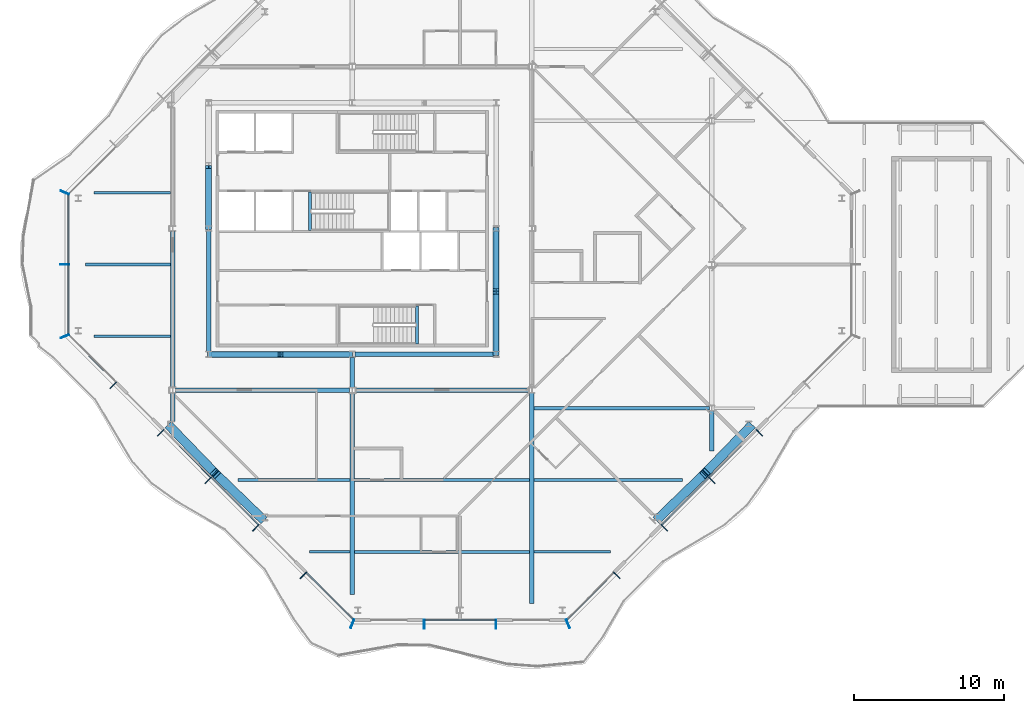
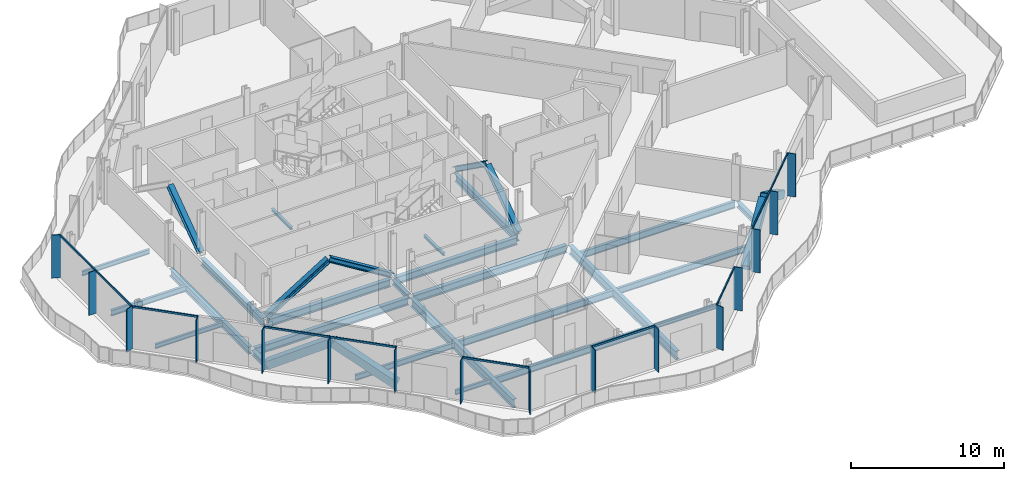
# One storey, part 3 of 16: 35 members, 24 beams, 4 elements without a shape of their own.
"""IFC4 building model written with IfcOpenShell, lengths in metres."""

from ifc_helpers import new_model, si_unit, direction, frame, origin, origin_2d, place, context, subcontext, project, spatial, rectangle, hollow_rectangle, i_section, extrude, material, material_profile, profile_set, type_object, element, aggregate, save


model = new_model("IFC4")

# Units and contexts
model_context = context("Model", 3, precision=1e-05, world=origin(), true_north=direction((0.0, 1.0)))
body_context = subcontext(model_context, "Body", "Model", "MODEL_VIEW")
ifc_project = project(units=[si_unit("LENGTHUNIT", "METRE"), si_unit("AREAUNIT", "SQUARE_METRE"), si_unit("VOLUMEUNIT", "CUBIC_METRE"), si_unit("PLANEANGLEUNIT", "RADIAN"), si_unit("MASSUNIT", "GRAM", prefix="KILO")], contexts=[model_context])

# Site, building, storey
site_placement = place(None, origin())
site = spatial("IfcSite", under=ifc_project, at=site_placement, CompositionType="ELEMENT")
building_placement = place(site_placement, origin())
building = spatial("IfcBuilding", under=site, at=building_placement, Name="Cairn Pilgrim Tower", CompositionType="ELEMENT")
storey_placement = place(building_placement, frame((0.0, 0.0, 267.0)))
storey = spatial("IfcBuildingStorey", under=building, at=storey_placement, Name="L68", CompositionType="ELEMENT", Elevation=267.0)

# Members
ifc_material_1 = material(Name="Structural steel S460M", Category="steel")
ifc_material_profile_1 = material_profile(ifc_material_1, hollow_rectangle(XDim=0.60009765625, YDim=0.60009765625, WallThickness=0.034912109375, at=origin_2d()), Name="BOX 600x600x35")
ifc_profile_set_1 = profile_set([ifc_material_profile_1], Name="Structural steel S460M")
member_type_1 = type_object("IfcMemberType", Name="BOX 600x600x35 BRACE", PredefinedType="BRACE", material=ifc_profile_set_1)
member_1_placement = place(storey_placement, frame((27.609130859375, -16.9921875, 0.14990234375), z_axis=(0.612497315066, 0.592528264357, 0.523218209713), x_axis=(-0.695293517132, 0.718725903967, 0.0)))
element("IfcMember", 1, at=member_1_placement, inside=storey, type_object=member_type_1, Name="XB-SE2-SE3-1", PredefinedType="BRACE", context=body_context, shape_type="SweptSolid", body=[
    extrude(hollow_rectangle(XDim=0.60009765625, YDim=0.60009765625, WallThickness=0.034912109375, at=origin_2d()), origin(), (0.0, 0.0, 1.0), 5.037109375),
])
member_2_placement = place(storey_placement, frame((33.7919921875, -10.80908203125, 0.14990234375), z_axis=(-0.59249681125, -0.612514905413, 0.523233236048), x_axis=(0.718754326239, -0.695264135788, 0.0)))
element("IfcMember", 2, at=member_2_placement, inside=storey, type_object=member_type_1, Name="XB-SE2-SE3-2", PredefinedType="BRACE", context=body_context, shape_type="SweptSolid", body=[
    extrude(hollow_rectangle(XDim=0.60009765625, YDim=0.60009765625, WallThickness=0.034912109375, at=origin_2d()), origin(), (0.0, 0.0, 1.0), 5.036865234375),
])
for number, where, z_axis, x_axis, name in (
    (3, (-4.9921875, -10.80908203125, 0.14990234375), (0.592528264357, -0.612497315066, 0.523218209713), (0.718725903967, 0.695293517132, 0.0), "XB-SW2-SW3-1"),
    (4, (1.19091796875, -16.9921875, 0.14990234375), (-0.612497315066, 0.592528264357, 0.523218209713), (-0.695293517132, -0.718725903967, 0.0), "XB-SW2-SW3-2"),
):
    element("IfcMember", number, at=place(storey_placement, frame(where, z_axis=z_axis, x_axis=x_axis)), inside=storey, type_object=member_type_1, Name=name, PredefinedType="BRACE", context=body_context, shape_type="SweptSolid", body=[
        extrude(hollow_rectangle(XDim=0.60009765625, YDim=0.60009765625, WallThickness=0.034912109375, at=origin_2d()), origin(), (0.0, 0.0, 1.0), 5.037109375),
    ])

# Curtain wall, members
ifc_material_2 = material(Name="Aluminium alloy 6063-T6 bronze anodised with Bronze tinted laminated low-E glass 8+16+8.8", Category="aluminium")
curtain_wall_type = type_object("IfcCurtainWallType", Name="CROWN CURTAIN WALL", PredefinedType="NOTDEFINED", material=ifc_material_2)
curtain_wall_1_placement = place(storey_placement, origin())
curtain_wall_1 = element("IfcCurtainWall", 5, at=curtain_wall_1_placement, inside=storey, type_object=curtain_wall_type, Name="Crown Curtain Wall S", PredefinedType="NOTDEFINED")
ifc_material_3 = material(Name="Aluminium alloy 6063-T6 bronze anodised", Category="aluminium")
ifc_material_profile_2 = material_profile(ifc_material_3, rectangle(XDim=0.60009765625, YDim=0.06005859375, at=origin_2d()), Name="FIN MULLION 60x600 BRONZE")
ifc_profile_set_2 = profile_set([ifc_material_profile_2], Name="Aluminium alloy 6063-T6 bronze anodised")
member_type_2 = type_object("IfcMemberType", Name="FIN MULLION 60x600 BRONZE", PredefinedType="MULLION", material=ifc_profile_set_2)
member_3_placement = place(storey_placement, frame((7.2001953125, -23.99951171875, 0.0), z_axis=(0.0, 0.0, 1.0), x_axis=(-0.382683432365, -0.923879532511, 0.0)))
member_3 = element("IfcMember", 6, at=member_3_placement, type_object=member_type_2, Name="Fin mullion S1", PredefinedType="MULLION", context=body_context, shape_type="SweptSolid", body=[
    extrude(rectangle(XDim=0.60009765625, YDim=0.06005859375, at=origin_2d()), origin(), (0.0, 0.0, 1.0), 3.449951171875),
])
member_4_placement = place(storey_placement, frame((12.0, -24.02001953125, 0.0), z_axis=(0.0, 0.0, 1.0), x_axis=(0.0, -1.0, 0.0)))
member_4 = element("IfcMember", 7, at=member_4_placement, type_object=member_type_2, Name="Fin mullion S2", PredefinedType="MULLION", context=body_context, shape_type="SweptSolid", body=[
    extrude(rectangle(XDim=0.60009765625, YDim=0.06005859375, at=origin_2d()), origin(), (0.0, 0.0, 1.0), 3.449951171875),
])
member_5_placement = place(storey_placement, frame((16.800048828125, -24.02001953125, 0.0), z_axis=(0.0, 0.0, 1.0), x_axis=(0.0, -1.0, 0.0)))
member_5 = element("IfcMember", 8, at=member_5_placement, type_object=member_type_2, Name="Fin mullion S3", PredefinedType="MULLION", context=body_context, shape_type="SweptSolid", body=[
    extrude(rectangle(XDim=0.60009765625, YDim=0.06005859375, at=origin_2d()), origin(), (0.0, 0.0, 1.0), 3.449951171875),
])

curtain_wall_2_placement = place(storey_placement, origin())
curtain_wall_2 = element("IfcCurtainWall", 9, at=curtain_wall_2_placement, inside=storey, type_object=curtain_wall_type, Name="Crown Curtain Wall SE", PredefinedType="NOTDEFINED")
member_6_placement = place(storey_placement, frame((21.599853515625, -23.99951171875, 0.0), z_axis=(0.0, 0.0, 1.0), x_axis=(0.382683432365, -0.923879532511, 0.0)))
member_6 = element("IfcMember", 10, at=member_6_placement, type_object=member_type_2, Name="Fin mullion SE1", PredefinedType="MULLION", context=body_context, shape_type="SweptSolid", body=[
    extrude(rectangle(XDim=0.60009765625, YDim=0.06005859375, at=origin_2d()), origin(), (0.0, 0.0, 1.0), 3.449951171875),
])
member_7_placement = place(storey_placement, frame((24.863037109375, -20.765380859375, 0.0), z_axis=(0.0, 0.0, 1.0), x_axis=(0.707106781187, -0.707106781187, 0.0)))
member_7 = element("IfcMember", 11, at=member_7_placement, type_object=member_type_2, Name="Fin mullion SE2", PredefinedType="MULLION", context=body_context, shape_type="SweptSolid", body=[
    extrude(rectangle(XDim=0.60009765625, YDim=0.06005859375, at=origin_2d()), origin(), (0.0, 0.0, 1.0), 3.449951171875),
])
member_8_placement = place(storey_placement, frame((28.03857421875, -17.58984375, 0.0), z_axis=(0.0, 0.0, 1.0), x_axis=(0.707106781187, -0.707106781187, 0.0)))
member_8 = element("IfcMember", 12, at=member_8_placement, type_object=member_type_2, Name="Fin mullion SE3", PredefinedType="MULLION", context=body_context, shape_type="SweptSolid", body=[
    extrude(rectangle(XDim=0.60009765625, YDim=0.06005859375, at=origin_2d()), origin(), (0.0, 0.0, 1.0), 3.449951171875),
])
member_9_placement = place(storey_placement, frame((31.214111328125, -14.4140625, 0.0), z_axis=(0.0, 0.0, 1.0), x_axis=(0.707106781187, -0.707106781187, 0.0)))
member_9 = element("IfcMember", 13, at=member_9_placement, type_object=member_type_2, Name="Fin mullion SE4", PredefinedType="MULLION", context=body_context, shape_type="SweptSolid", body=[
    extrude(rectangle(XDim=0.60009765625, YDim=0.06005859375, at=origin_2d()), origin(), (0.0, 0.0, 1.0), 3.449951171875),
])
member_10_placement = place(storey_placement, frame((34.3896484375, -11.238525390625, 0.0), z_axis=(0.0, 0.0, 1.0), x_axis=(0.707106781187, -0.707106781187, 0.0)))
member_10 = element("IfcMember", 14, at=member_10_placement, type_object=member_type_2, Name="Fin mullion SE5", PredefinedType="MULLION", context=body_context, shape_type="SweptSolid", body=[
    extrude(rectangle(XDim=0.60009765625, YDim=0.06005859375, at=origin_2d()), origin(), (0.0, 0.0, 1.0), 3.449951171875),
])

curtain_wall_3_placement = place(storey_placement, origin())
curtain_wall_3 = element("IfcCurtainWall", 15, at=curtain_wall_3_placement, inside=storey, type_object=curtain_wall_type, Name="Crown Curtain Wall W", PredefinedType="NOTDEFINED")
member_11_placement = place(storey_placement, frame((-11.99951171875, 4.7998046875, 0.0), z_axis=(0.0, 0.0, 1.0), x_axis=(-0.923879532511, 0.382683432365, 0.0)))
member_11 = element("IfcMember", 16, at=member_11_placement, type_object=member_type_2, Name="Fin mullion W1", PredefinedType="MULLION", context=body_context, shape_type="SweptSolid", body=[
    extrude(rectangle(XDim=0.60009765625, YDim=0.06005859375, at=origin_2d()), origin(), (0.0, 0.0, 1.0), 3.449951171875),
])
member_12_placement = place(storey_placement, frame((-12.02001953125, 0.0, 0.0), z_axis=(0.0, 0.0, 1.0), x_axis=(-1.0, 0.0, 0.0)))
member_12 = element("IfcMember", 17, at=member_12_placement, type_object=member_type_2, Name="Fin mullion W2", PredefinedType="MULLION", context=body_context, shape_type="SweptSolid", body=[
    extrude(rectangle(XDim=0.60009765625, YDim=0.06005859375, at=origin_2d()), origin(), (0.0, 0.0, 1.0), 3.449951171875),
])

curtain_wall_4_placement = place(storey_placement, origin())
curtain_wall_4 = element("IfcCurtainWall", 18, at=curtain_wall_4_placement, inside=storey, type_object=curtain_wall_type, Name="Crown Curtain Wall SW", PredefinedType="NOTDEFINED")
member_13_placement = place(storey_placement, frame((-11.99951171875, -4.7998046875, 0.0), z_axis=(0.0, 0.0, 1.0), x_axis=(-0.923879532511, -0.382683432365, 0.0)))
member_13 = element("IfcMember", 19, at=member_13_placement, type_object=member_type_2, Name="Fin mullion SW1", PredefinedType="MULLION", context=body_context, shape_type="SweptSolid", body=[
    extrude(rectangle(XDim=0.60009765625, YDim=0.06005859375, at=origin_2d()), origin(), (0.0, 0.0, 1.0), 3.449951171875),
])
member_14_placement = place(storey_placement, frame((-8.765380859375, -8.06298828125, 0.0), z_axis=(0.0, 0.0, 1.0), x_axis=(-0.707106781187, -0.707106781187, 0.0)))
member_14 = element("IfcMember", 20, at=member_14_placement, type_object=member_type_2, Name="Fin mullion SW2", PredefinedType="MULLION", context=body_context, shape_type="SweptSolid", body=[
    extrude(rectangle(XDim=0.60009765625, YDim=0.06005859375, at=origin_2d()), origin(), (0.0, 0.0, 1.0), 3.449951171875),
])
member_15_placement = place(storey_placement, frame((-5.58984375, -11.238525390625, 0.0), z_axis=(0.0, 0.0, 1.0), x_axis=(-0.707106781187, -0.707106781187, 0.0)))
member_15 = element("IfcMember", 21, at=member_15_placement, type_object=member_type_2, Name="Fin mullion SW3", PredefinedType="MULLION", context=body_context, shape_type="SweptSolid", body=[
    extrude(rectangle(XDim=0.60009765625, YDim=0.06005859375, at=origin_2d()), origin(), (0.0, 0.0, 1.0), 3.449951171875),
])
member_16_placement = place(storey_placement, frame((-2.4140625, -14.4140625, 0.0), z_axis=(0.0, 0.0, 1.0), x_axis=(-0.707106781187, -0.707106781187, 0.0)))
member_16 = element("IfcMember", 22, at=member_16_placement, type_object=member_type_2, Name="Fin mullion SW4", PredefinedType="MULLION", context=body_context, shape_type="SweptSolid", body=[
    extrude(rectangle(XDim=0.60009765625, YDim=0.06005859375, at=origin_2d()), origin(), (0.0, 0.0, 1.0), 3.449951171875),
])
member_17_placement = place(storey_placement, frame((0.761474609375, -17.58984375, 0.0), z_axis=(0.0, 0.0, 1.0), x_axis=(-0.707106781187, -0.707106781187, 0.0)))
member_17 = element("IfcMember", 23, at=member_17_placement, type_object=member_type_2, Name="Fin mullion SW5", PredefinedType="MULLION", context=body_context, shape_type="SweptSolid", body=[
    extrude(rectangle(XDim=0.60009765625, YDim=0.06005859375, at=origin_2d()), origin(), (0.0, 0.0, 1.0), 3.449951171875),
])
member_18_placement = place(storey_placement, frame((3.93701171875, -20.765380859375, 0.0), z_axis=(0.0, 0.0, 1.0), x_axis=(-0.707106781187, -0.707106781187, 0.0)))
member_18 = element("IfcMember", 24, at=member_18_placement, type_object=member_type_2, Name="Fin mullion SW6", PredefinedType="MULLION", context=body_context, shape_type="SweptSolid", body=[
    extrude(rectangle(XDim=0.60009765625, YDim=0.06005859375, at=origin_2d()), origin(), (0.0, 0.0, 1.0), 3.449951171875),
])

# Members
ifc_material_4 = material(Name="Structural steel S355J2", Category="steel")
ifc_material_profile_3 = material_profile(ifc_material_4, i_section(OverallWidth=0.39794921875, OverallDepth=0.386962890625, WebThickness=0.02099609375, FlangeThickness=0.033203125, FilletRadius=0.014892578125, at=origin_2d()), Name="HD 400x262")
ifc_profile_set_3 = profile_set([ifc_material_profile_3], Name="Structural steel S355J2")
member_type_3 = type_object("IfcMemberType", Name="HD 400x262 BRACE", PredefinedType="BRACE", material=ifc_profile_set_3)
for number, where, z_axis, x_axis, name in (
    (25, (-2.360107421875, -6.0, 0.10009765625), (0.85121689147, 0.0, 0.524814065814), (0.0, 1.0, 0.0), "KB-1A"),
    (26, (7.16015625, -6.0, 0.10009765625), (-0.85121689147, 0.0, 0.524814065814), (0.0, -1.0, 0.0), "KB-1B"),
):
    element("IfcMember", number, at=place(storey_placement, frame(where, z_axis=z_axis, x_axis=x_axis)), inside=storey, type_object=member_type_3, Name=name, PredefinedType="BRACE", context=body_context, shape_type="SweptSolid", body=[
        extrude(i_section(OverallWidth=0.39794921875, OverallDepth=0.386962890625, WebThickness=0.02099609375, FlangeThickness=0.033203125, FilletRadius=0.014892578125, at=origin_2d()), origin(), (0.0, 0.0, 1.0), 5.52978515625),
    ])
for number, where, z_axis, x_axis, name in (
    (27, (16.800048828125, -5.960205078125, 0.10009765625), (0.0, 0.814462005215, 0.580216892258), (-1.0, 0.0, 0.0), "KB-2A"),
    (28, (16.800048828125, 2.360107421875, 0.10009765625), (0.0, -0.814462005215, 0.580216892258), (1.0, 0.0, 0.0), "KB-2B"),
    (29, (-2.39990234375, 2.439697265625, 0.10009765625), (0.0, 0.814462005215, 0.580216892258), (-1.0, 0.0, 0.0), "KB-4B"),
):
    element("IfcMember", number, at=place(storey_placement, frame(where, z_axis=z_axis, x_axis=x_axis)), inside=storey, type_object=member_type_3, Name=name, PredefinedType="BRACE", context=body_context, shape_type="SweptSolid", body=[
        extrude(i_section(OverallWidth=0.39794921875, OverallDepth=0.386962890625, WebThickness=0.02099609375, FlangeThickness=0.033203125, FilletRadius=0.014892578125, at=origin_2d()), origin(), (0.0, 0.0, 1.0), 4.999755859375),
    ])

# Beams
ifc_material_profile_4 = material_profile(ifc_material_4, i_section(OverallWidth=0.300048828125, OverallDepth=0.39990234375, WebThickness=0.013427734375, FlangeThickness=0.02392578125, FilletRadius=0.027099609375, at=origin_2d()), Name="HEB 400")
ifc_profile_set_4 = profile_set([ifc_material_profile_4], Name="Structural steel S355J2")
beam_type_1 = type_object("IfcBeamType", Name="HEB 400 GIRDER", PredefinedType="BEAM", material=ifc_profile_set_4)
beam_1_placement = place(storey_placement, frame((-4.800048828125, -10.477783203125, -0.35009765625), z_axis=(0.0, 1.0, 0.0), x_axis=(-1.0, 0.0, 0.0)))
element("IfcBeam", 30, at=beam_1_placement, inside=storey, type_object=beam_type_1, Name="PG2-E1", PredefinedType="BEAM", context=body_context, shape_type="SweptSolid", body=[
    extrude(i_section(OverallWidth=0.300048828125, OverallDepth=0.39990234375, WebThickness=0.013427734375, FlangeThickness=0.02392578125, FilletRadius=0.027099609375, at=origin_2d()), origin(), (0.0, 0.0, 1.0), 1.880859375),
])
beam_2_placement = place(storey_placement, frame((7.199951171875, -8.202880859375, -0.35009765625), z_axis=(0.0, 1.0, 0.0), x_axis=(-1.0, 0.0, 0.0)))
element("IfcBeam", 31, at=beam_2_placement, inside=storey, type_object=beam_type_1, Name="PG3-E1", PredefinedType="BEAM", context=body_context, shape_type="SweptSolid", body=[
    extrude(i_section(OverallWidth=0.300048828125, OverallDepth=0.39990234375, WebThickness=0.013427734375, FlangeThickness=0.02392578125, FilletRadius=0.027099609375, at=origin_2d()), origin(), (0.0, 0.0, 1.0), 2.00390625),
])
beam_3_placement = place(storey_placement, frame((31.199951171875, -12.4501953125, -0.35009765625), z_axis=(0.0, 1.0, 0.0), x_axis=(-1.0, 0.0, 0.0)))
element("IfcBeam", 32, at=beam_3_placement, inside=storey, type_object=beam_type_1, Name="PG5-1", PredefinedType="BEAM", context=body_context, shape_type="SweptSolid", body=[
    extrude(i_section(OverallWidth=0.300048828125, OverallDepth=0.39990234375, WebThickness=0.013427734375, FlangeThickness=0.02392578125, FilletRadius=0.027099609375, at=origin_2d()), origin(), (0.0, 0.0, 1.0), 2.653076171875),
])
ifc_material_profile_5 = material_profile(ifc_material_4, i_section(OverallWidth=0.300048828125, OverallDepth=0.60009765625, WebThickness=0.015380859375, FlangeThickness=0.030029296875, FilletRadius=0.027099609375, at=origin_2d()), Name="HEB 600")
ifc_profile_set_5 = profile_set([ifc_material_profile_5], Name="Structural steel S355J2")
beam_type_2 = type_object("IfcBeamType", Name="HEB 600 CORE BEAM", PredefinedType="BEAM", material=ifc_profile_set_5)
beam_4_placement = place(storey_placement, frame((-2.220947265625, -6.0, -0.449951171875), z_axis=(1.0, 0.0, 0.0), x_axis=(0.0, 1.0, 0.0)))
element("IfcBeam", 33, at=beam_4_placement, inside=storey, type_object=beam_type_2, Name="CB-1", PredefinedType="BEAM", context=body_context, shape_type="SweptSolid", body=[
    extrude(i_section(OverallWidth=0.300048828125, OverallDepth=0.60009765625, WebThickness=0.015380859375, FlangeThickness=0.030029296875, FilletRadius=0.027099609375, at=origin_2d()), origin(), (0.0, 0.0, 1.0), 9.241943359375),
])
beam_5_placement = place(storey_placement, frame((7.379150390625, -6.0, -0.449951171875), z_axis=(1.0, 0.0, 0.0), x_axis=(0.0, 1.0, 0.0)))
element("IfcBeam", 34, at=beam_5_placement, inside=storey, type_object=beam_type_2, Name="CB-2", PredefinedType="BEAM", context=body_context, shape_type="SweptSolid", body=[
    extrude(i_section(OverallWidth=0.300048828125, OverallDepth=0.60009765625, WebThickness=0.015380859375, FlangeThickness=0.030029296875, FilletRadius=0.027099609375, at=origin_2d()), origin(), (0.0, 0.0, 1.0), 9.24169921875),
])
for number, where, z_axis, x_axis, name in (
    (35, (16.800048828125, -5.82080078125, -0.449951171875), (0.0, 1.0, 0.0), (-1.0, 0.0, 0.0), "CB-3"),
    (36, (-2.39990234375, 2.220947265625, -0.449951171875), (0.0, -1.0, 0.0), (1.0, 0.0, 0.0), "CB-8"),
):
    element("IfcBeam", number, at=place(storey_placement, frame(where, z_axis=z_axis, x_axis=x_axis)), inside=storey, type_object=beam_type_2, Name=name, PredefinedType="BEAM", context=body_context, shape_type="SweptSolid", body=[
        extrude(i_section(OverallWidth=0.300048828125, OverallDepth=0.60009765625, WebThickness=0.015380859375, FlangeThickness=0.030029296875, FilletRadius=0.027099609375, at=origin_2d()), origin(), (0.0, 0.0, 1.0), 8.041748046875),
    ])
ifc_material_profile_6 = material_profile(ifc_material_4, i_section(OverallWidth=0.300048828125, OverallDepth=0.60009765625, WebThickness=0.015380859375, FlangeThickness=0.030029296875, FilletRadius=0.027099609375, at=origin_2d()), Name="HEB 600")
ifc_profile_set_6 = profile_set([ifc_material_profile_6], Name="Structural steel S355J2")
beam_type_3 = type_object("IfcBeamType", Name="HEB 600 GIRDER", PredefinedType="BEAM", material=ifc_profile_set_6)
beam_6_placement = place(storey_placement, frame((-4.800048828125, -8.202880859375, -0.449951171875), z_axis=(0.0, 1.0, 0.0), x_axis=(-1.0, 0.0, 0.0)))
element("IfcBeam", 37, at=beam_6_placement, inside=storey, type_object=beam_type_3, Name="PG2-1", PredefinedType="BEAM", context=body_context, shape_type="SweptSolid", body=[
    extrude(i_section(OverallWidth=0.300048828125, OverallDepth=0.60009765625, WebThickness=0.015380859375, FlangeThickness=0.030029296875, FilletRadius=0.027099609375, at=origin_2d()), origin(), (0.0, 0.0, 1.0), 10.40576171875),
])
ifc_material_profile_7 = material_profile(ifc_material_4, i_section(OverallWidth=0.300048828125, OverallDepth=0.60009765625, WebThickness=0.015380859375, FlangeThickness=0.030029296875, FilletRadius=0.027099609375, at=origin_2d()), Name="HEB 600")
ifc_profile_set_7 = profile_set([ifc_material_profile_7], Name="Structural steel S355J2")
beam_type_4 = type_object("IfcBeamType", Name="HEB 600 INNER GIRDER", PredefinedType="BEAM", material=ifc_profile_set_7)
for number, where, z_axis, x_axis, name in (
    (38, (-4.60302734375, -8.39990234375, -0.449951171875), (1.0, 0.0, 0.0), (0.0, 1.0, 0.0), "IG1-1"),
    (39, (7.39697265625, -8.39990234375, -0.449951171875), (1.0, 0.0, 0.0), (0.0, 1.0, 0.0), "IG1-2"),
):
    element("IfcBeam", number, at=place(storey_placement, frame(where, z_axis=z_axis, x_axis=x_axis)), inside=storey, type_object=beam_type_4, Name=name, PredefinedType="BEAM", context=body_context, shape_type="SweptSolid", body=[
        extrude(i_section(OverallWidth=0.300048828125, OverallDepth=0.60009765625, WebThickness=0.015380859375, FlangeThickness=0.030029296875, FilletRadius=0.027099609375, at=origin_2d()), origin(), (0.0, 0.0, 1.0), 11.60595703125),
    ])
ifc_material_profile_8 = material_profile(ifc_material_4, i_section(OverallWidth=0.300048828125, OverallDepth=0.699951171875, WebThickness=0.01708984375, FlangeThickness=0.031982421875, FilletRadius=0.027099609375, at=origin_2d()), Name="HEB 700")
ifc_profile_set_8 = profile_set([ifc_material_profile_8], Name="Structural steel S355J2")
beam_type_5 = type_object("IfcBeamType", Name="HEB 700 GIRDER", PredefinedType="BEAM", material=ifc_profile_set_8)
beam_7_placement = place(storey_placement, frame((7.199951171875, -22.050048828125, -0.5), z_axis=(0.0, 1.0, 0.0), x_axis=(-1.0, 0.0, 0.0)))
element("IfcBeam", 40, at=beam_7_placement, inside=storey, type_object=beam_type_5, Name="PG3-1", PredefinedType="BEAM", context=body_context, shape_type="SweptSolid", body=[
    extrude(i_section(OverallWidth=0.300048828125, OverallDepth=0.699951171875, WebThickness=0.01708984375, FlangeThickness=0.031982421875, FilletRadius=0.027099609375, at=origin_2d()), origin(), (0.0, 0.0, 1.0), 13.453125),
])
beam_8_placement = place(storey_placement, frame((19.199951171875, -22.6298828125, -0.5), z_axis=(0.0, 1.0, 0.0), x_axis=(-1.0, 0.0, 0.0)))
element("IfcBeam", 41, at=beam_8_placement, inside=storey, type_object=beam_type_5, Name="PG4-1", PredefinedType="BEAM", context=body_context, shape_type="SweptSolid", body=[
    extrude(i_section(OverallWidth=0.300048828125, OverallDepth=0.699951171875, WebThickness=0.01708984375, FlangeThickness=0.031982421875, FilletRadius=0.027099609375, at=origin_2d()), origin(), (0.0, 0.0, 1.0), 14.032958984375),
])
ifc_material_profile_9 = material_profile(ifc_material_4, i_section(OverallWidth=0.169921875, OverallDepth=0.360107421875, WebThickness=0.008056640625, FlangeThickness=0.0126953125, FilletRadius=0.01806640625, at=origin_2d()), Name="IPE 360")
ifc_profile_set_9 = profile_set([ifc_material_profile_9], Name="Structural steel S355J2")
beam_type_6 = type_object("IfcBeamType", Name="IPE 360 SECONDARY BEAM", PredefinedType="JOIST", material=ifc_profile_set_9)
beam_9_placement = place(storey_placement, frame((4.349853515625, -19.199951171875, -0.330078125), z_axis=(1.0, 0.0, 0.0), x_axis=(0.0, 1.0, 0.0)))
element("IfcBeam", 42, at=beam_9_placement, inside=storey, type_object=beam_type_6, Name="SB1-1", PredefinedType="JOIST", context=body_context, shape_type="SweptSolid", body=[
    extrude(i_section(OverallWidth=0.169921875, OverallDepth=0.360107421875, WebThickness=0.008056640625, FlangeThickness=0.0126953125, FilletRadius=0.01806640625, at=origin_2d()), origin(), (0.0, 0.0, 1.0), 2.7001953125),
])
for number, where, z_axis, x_axis, name in (
    (43, (19.35009765625, -19.199951171875, -0.330078125), (1.0, 0.0, 0.0), (0.0, 1.0, 0.0), "SB1-3"),
    (44, (-10.050048828125, -4.800048828125, -0.330078125), (1.0, 0.0, 0.0), (0.0, 1.0, 0.0), "SB4-1"),
    (45, (-10.050048828125, 4.800048828125, -0.330078125), (1.0, 0.0, 0.0), (0.0, 1.0, 0.0), "SB6-1"),
):
    element("IfcBeam", number, at=place(storey_placement, frame(where, z_axis=z_axis, x_axis=x_axis)), inside=storey, type_object=beam_type_6, Name=name, PredefinedType="JOIST", context=body_context, shape_type="SweptSolid", body=[
        extrude(i_section(OverallWidth=0.169921875, OverallDepth=0.360107421875, WebThickness=0.008056640625, FlangeThickness=0.0126953125, FilletRadius=0.01806640625, at=origin_2d()), origin(), (0.0, 0.0, 1.0), 5.10009765625),
    ])
ifc_material_profile_10 = material_profile(ifc_material_4, i_section(OverallWidth=0.18994140625, OverallDepth=0.449951171875, WebThickness=0.009521484375, FlangeThickness=0.0146484375, FilletRadius=0.02099609375, at=origin_2d()), Name="IPE 450")
ifc_profile_set_10 = profile_set([ifc_material_profile_10], Name="Structural steel S355J2")
beam_type_7 = type_object("IfcBeamType", Name="IPE 450 SECONDARY BEAM", PredefinedType="JOIST", material=ifc_profile_set_10)
beam_10_placement = place(storey_placement, frame((-0.4501953125, -14.39990234375, -0.375), z_axis=(1.0, 0.0, 0.0), x_axis=(0.0, 1.0, 0.0)))
element("IfcBeam", 46, at=beam_10_placement, inside=storey, type_object=beam_type_7, Name="SB2-1", PredefinedType="JOIST", context=body_context, shape_type="SweptSolid", body=[
    extrude(i_section(OverallWidth=0.18994140625, OverallDepth=0.449951171875, WebThickness=0.009521484375, FlangeThickness=0.0146484375, FilletRadius=0.02099609375, at=origin_2d()), origin(), (0.0, 0.0, 1.0), 7.500244140625),
])
beam_11_placement = place(storey_placement, frame((-10.6298828125, 0.0, -0.375), z_axis=(1.0, 0.0, 0.0), x_axis=(0.0, 1.0, 0.0)))
element("IfcBeam", 47, at=beam_11_placement, inside=storey, type_object=beam_type_7, Name="SB5-1", PredefinedType="JOIST", context=body_context, shape_type="SweptSolid", body=[
    extrude(i_section(OverallWidth=0.18994140625, OverallDepth=0.449951171875, WebThickness=0.009521484375, FlangeThickness=0.0146484375, FilletRadius=0.02099609375, at=origin_2d()), origin(), (0.0, 0.0, 1.0), 5.679931640625),
])
ifc_material_profile_11 = material_profile(ifc_material_4, i_section(OverallWidth=0.199951171875, OverallDepth=0.5, WebThickness=0.01025390625, FlangeThickness=0.01611328125, FilletRadius=0.02099609375, at=origin_2d()), Name="IPE 500")
ifc_profile_set_11 = profile_set([ifc_material_profile_11], Name="Structural steel S355J2")
beam_type_8 = type_object("IfcBeamType", Name="IPE 500 SECONDARY BEAM", PredefinedType="JOIST", material=ifc_profile_set_11)
beam_12_placement = place(storey_placement, frame((19.35009765625, -14.39990234375, -0.39990234375), z_axis=(1.0, 0.0, 0.0), x_axis=(0.0, 1.0, 0.0)))
element("IfcBeam", 48, at=beam_12_placement, inside=storey, type_object=beam_type_8, Name="SB2-3", PredefinedType="JOIST", context=body_context, shape_type="SweptSolid", body=[
    extrude(i_section(OverallWidth=0.199951171875, OverallDepth=0.5, WebThickness=0.01025390625, FlangeThickness=0.01611328125, FilletRadius=0.02099609375, at=origin_2d()), origin(), (0.0, 0.0, 1.0), 9.89990234375),
])
ifc_material_profile_12 = material_profile(ifc_material_4, i_section(OverallWidth=0.2099609375, OverallDepth=0.550048828125, WebThickness=0.010986328125, FlangeThickness=0.01708984375, FilletRadius=0.02392578125, at=origin_2d()), Name="IPE 550")
ifc_profile_set_12 = profile_set([ifc_material_profile_12], Name="Structural steel S355J2")
beam_type_9 = type_object("IfcBeamType", Name="IPE 550 SECONDARY BEAM", PredefinedType="JOIST", material=ifc_profile_set_12)
for number, where, z_axis, x_axis, name in (
    (49, (7.35009765625, -19.199951171875, -0.425048828125), (1.0, 0.0, 0.0), (0.0, 1.0, 0.0), "SB1-2"),
    (50, (7.35009765625, -14.39990234375, -0.425048828125), (1.0, 0.0, 0.0), (0.0, 1.0, 0.0), "SB2-2"),
    (51, (19.35009765625, -9.60009765625, -0.425048828125), (1.0, 0.0, 0.0), (0.0, 1.0, 0.0), "SB3-1"),
):
    element("IfcBeam", number, at=place(storey_placement, frame(where, z_axis=z_axis, x_axis=x_axis)), inside=storey, type_object=beam_type_9, Name=name, PredefinedType="JOIST", context=body_context, shape_type="SweptSolid", body=[
        extrude(i_section(OverallWidth=0.2099609375, OverallDepth=0.550048828125, WebThickness=0.010986328125, FlangeThickness=0.01708984375, FilletRadius=0.02392578125, at=origin_2d()), origin(), (0.0, 0.0, 1.0), 11.699951171875),
    ])
ifc_material_profile_13 = material_profile(ifc_material_4, i_section(OverallWidth=0.199951171875, OverallDepth=0.199951171875, WebThickness=0.009033203125, FlangeThickness=0.014892578125, FilletRadius=0.01806640625, at=origin_2d()), Name="HE 200 B")
ifc_profile_set_13 = profile_set([ifc_material_profile_13], Name="Structural steel S355J2")
beam_type_10 = type_object("IfcBeamType", Name="STAIR LANDING BEAM HE 200 B", PredefinedType="BEAM", material=ifc_profile_set_13)
beam_13_placement = place(storey_placement, frame((11.5244140625, -2.77490234375, -0.25), z_axis=(0.0, -1.0, 0.0), x_axis=(1.0, 0.0, 0.0)))
element("IfcBeam", 52, at=beam_13_placement, inside=storey, type_object=beam_type_10, Name="STAIR LANDING BEAM LD-HE200B", PredefinedType="BEAM", context=body_context, shape_type="SweptSolid", body=[
    extrude(i_section(OverallWidth=0.199951171875, OverallDepth=0.199951171875, WebThickness=0.009033203125, FlangeThickness=0.014892578125, FilletRadius=0.01806640625, at=origin_2d()), origin(), (0.0, 0.0, 1.0), 2.525146484375),
])
beam_14_placement = place(storey_placement, frame((4.37548828125, 2.27490234375, -0.25), z_axis=(0.0, 1.0, 0.0), x_axis=(-1.0, 0.0, 0.0)))
element("IfcBeam", 53, at=beam_14_placement, inside=storey, type_object=beam_type_10, Name="STAIR LANDING BEAM LD-HE200B", PredefinedType="BEAM", context=body_context, shape_type="SweptSolid", body=[
    extrude(i_section(OverallWidth=0.199951171875, OverallDepth=0.199951171875, WebThickness=0.009033203125, FlangeThickness=0.014892578125, FilletRadius=0.01806640625, at=origin_2d()), origin(), (0.0, 0.0, 1.0), 2.550048828125),
])

# Member
ifc_material_profile_14 = material_profile(ifc_material_3, rectangle(XDim=0.080078125, YDim=0.14990234375, at=origin_2d()), Name="TRANSOM 80x150 BRONZE")
ifc_profile_set_14 = profile_set([ifc_material_profile_14], Name="Aluminium alloy 6063-T6 bronze anodised")
member_type_4 = type_object("IfcMemberType", Name="TRANSOM 80x150 BRONZE", PredefinedType="USERDEFINED", material=ifc_profile_set_14)
member_19_placement = place(storey_placement, frame((12.030029296875, -23.75, 3.375), z_axis=(1.0, 0.0, 0.0), x_axis=(0.0, 1.0, 0.0)))
member_19 = element("IfcMember", 54, at=member_19_placement, type_object=member_type_4, Name="Transom S2", ObjectType="TRANSOM", PredefinedType="USERDEFINED", context=body_context, shape_type="SweptSolid", body=[
    extrude(rectangle(XDim=0.080078125, YDim=0.14990234375, at=origin_2d()), origin(), (0.0, 0.0, 1.0), 4.739990234375),
])

aggregate(curtain_wall_1, [member_3, member_4, member_5, member_19])

member_20_placement = place(storey_placement, frame((21.524658203125, -23.7216796875, 3.375), z_axis=(0.707134392299, 0.707079168996, 0.0), x_axis=(-0.707079168996, 0.707134392299, 0.0)))
member_20 = element("IfcMember", 55, at=member_20_placement, type_object=member_type_4, Name="Transom SE1", ObjectType="TRANSOM", PredefinedType="USERDEFINED", context=body_context, shape_type="SweptSolid", body=[
    extrude(rectangle(XDim=0.080078125, YDim=0.14990234375, at=origin_2d()), origin(), (0.0, 0.0, 1.0), 4.4208984375),
])

member_21_placement = place(storey_placement, frame((27.868896484375, -17.377685546875, 3.375), z_axis=(0.707079231393, 0.707134329907, 0.0), x_axis=(-0.707134329907, 0.707079231393, 0.0)))
member_21 = element("IfcMember", 56, at=member_21_placement, type_object=member_type_4, Name="Transom SE3", ObjectType="TRANSOM", PredefinedType="USERDEFINED", context=body_context, shape_type="SweptSolid", body=[
    extrude(rectangle(XDim=0.080078125, YDim=0.14990234375, at=origin_2d()), origin(), (0.0, 0.0, 1.0), 4.430908203125),
])

member_22_placement = place(storey_placement, frame((31.04443359375, -14.201904296875, 3.375), z_axis=(0.707106781187, 0.707106781187, 0.0), x_axis=(-0.707106781187, 0.707106781187, 0.0)))
member_22 = element("IfcMember", 57, at=member_22_placement, type_object=member_type_4, Name="Transom SE4", ObjectType="TRANSOM", PredefinedType="USERDEFINED", context=body_context, shape_type="SweptSolid", body=[
    extrude(rectangle(XDim=0.080078125, YDim=0.14990234375, at=origin_2d()), origin(), (0.0, 0.0, 1.0), 4.430908203125),
])

aggregate(curtain_wall_2, [member_6, member_7, member_8, member_9, member_10, member_20, member_21, member_22])

member_23_placement = place(storey_placement, frame((-11.75, 4.656494140625, 3.375), z_axis=(0.0, -1.0, 0.0), x_axis=(1.0, 0.0, 0.0)))
member_23 = element("IfcMember", 58, at=member_23_placement, type_object=member_type_4, Name="Transom W1", ObjectType="TRANSOM", PredefinedType="USERDEFINED", context=body_context, shape_type="SweptSolid", body=[
    extrude(rectangle(XDim=0.080078125, YDim=0.14990234375, at=origin_2d()), origin(), (0.0, 0.0, 1.0), 4.62646484375),
])

member_24_placement = place(storey_placement, frame((-11.75, -0.030029296875, 3.375), z_axis=(0.0, -1.0, 0.0), x_axis=(1.0, 0.0, 0.0)))
member_24 = element("IfcMember", 59, at=member_24_placement, type_object=member_type_4, Name="Transom W2", ObjectType="TRANSOM", PredefinedType="USERDEFINED", context=body_context, shape_type="SweptSolid", body=[
    extrude(rectangle(XDim=0.080078125, YDim=0.14990234375, at=origin_2d()), origin(), (0.0, 0.0, 1.0), 4.62646484375),
])

aggregate(curtain_wall_3, [member_11, member_12, member_23, member_24])

member_25_placement = place(storey_placement, frame((-11.7216796875, -4.724609375, 3.375), z_axis=(0.707079168996, -0.707134392299, 0.0), x_axis=(0.707134392299, 0.707079168996, 0.0)))
member_25 = element("IfcMember", 60, at=member_25_placement, type_object=member_type_4, Name="Transom SW1", ObjectType="TRANSOM", PredefinedType="USERDEFINED", context=body_context, shape_type="SweptSolid", body=[
    extrude(rectangle(XDim=0.080078125, YDim=0.14990234375, at=origin_2d()), origin(), (0.0, 0.0, 1.0), 4.4208984375),
])

member_26_placement = place(storey_placement, frame((-5.377685546875, -11.06884765625, 3.375), z_axis=(0.707134329907, -0.707079231393, 0.0), x_axis=(0.707079231393, 0.707134329907, 0.0)))
member_26 = element("IfcMember", 61, at=member_26_placement, type_object=member_type_4, Name="Transom SW3", ObjectType="TRANSOM", PredefinedType="USERDEFINED", context=body_context, shape_type="SweptSolid", body=[
    extrude(rectangle(XDim=0.080078125, YDim=0.14990234375, at=origin_2d()), origin(), (0.0, 0.0, 1.0), 4.430908203125),
])

member_27_placement = place(storey_placement, frame((-2.201904296875, -14.244384765625, 3.375), z_axis=(0.707079231393, -0.707134329907, 0.0), x_axis=(0.707134329907, 0.707079231393, 0.0)))
member_27 = element("IfcMember", 62, at=member_27_placement, type_object=member_type_4, Name="Transom SW4", ObjectType="TRANSOM", PredefinedType="USERDEFINED", context=body_context, shape_type="SweptSolid", body=[
    extrude(rectangle(XDim=0.080078125, YDim=0.14990234375, at=origin_2d()), origin(), (0.0, 0.0, 1.0), 4.430908203125),
])

member_28_placement = place(storey_placement, frame((4.149169921875, -20.595703125, 3.375), z_axis=(0.707134392299, -0.707079168996, 0.0), x_axis=(0.707079168996, 0.707134392299, 0.0)))
member_28 = element("IfcMember", 63, at=member_28_placement, type_object=member_type_4, Name="Transom SW6", ObjectType="TRANSOM", PredefinedType="USERDEFINED", context=body_context, shape_type="SweptSolid", body=[
    extrude(rectangle(XDim=0.080078125, YDim=0.14990234375, at=origin_2d()), origin(), (0.0, 0.0, 1.0), 4.4208984375),
])

aggregate(curtain_wall_4, [member_13, member_14, member_15, member_16, member_17, member_18, member_25, member_26, member_27, member_28])

save(model, "model.ifc")
